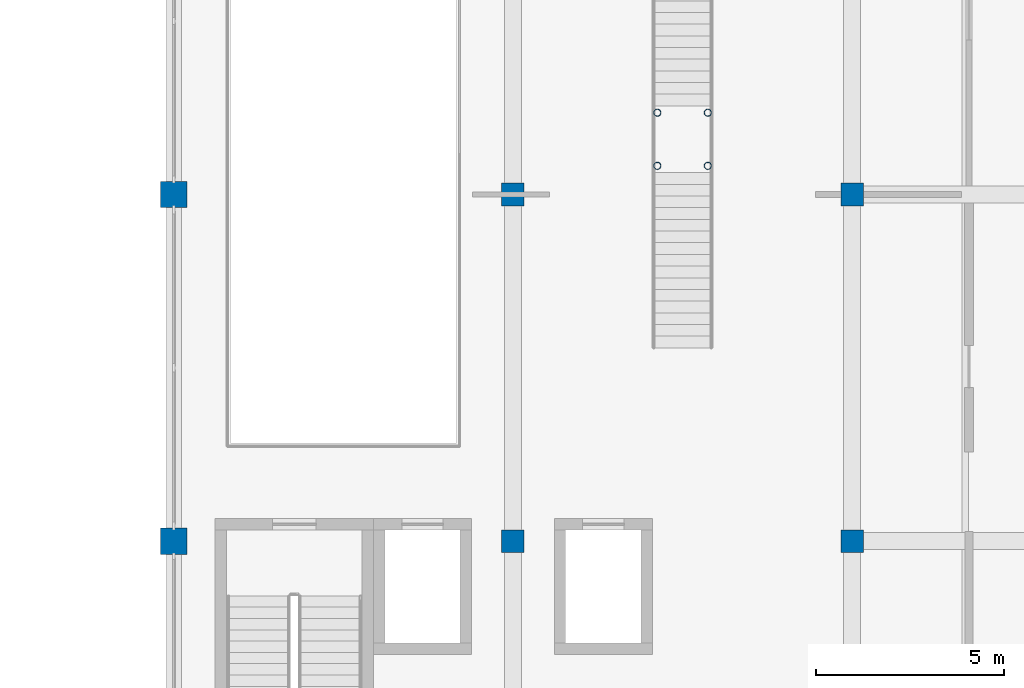
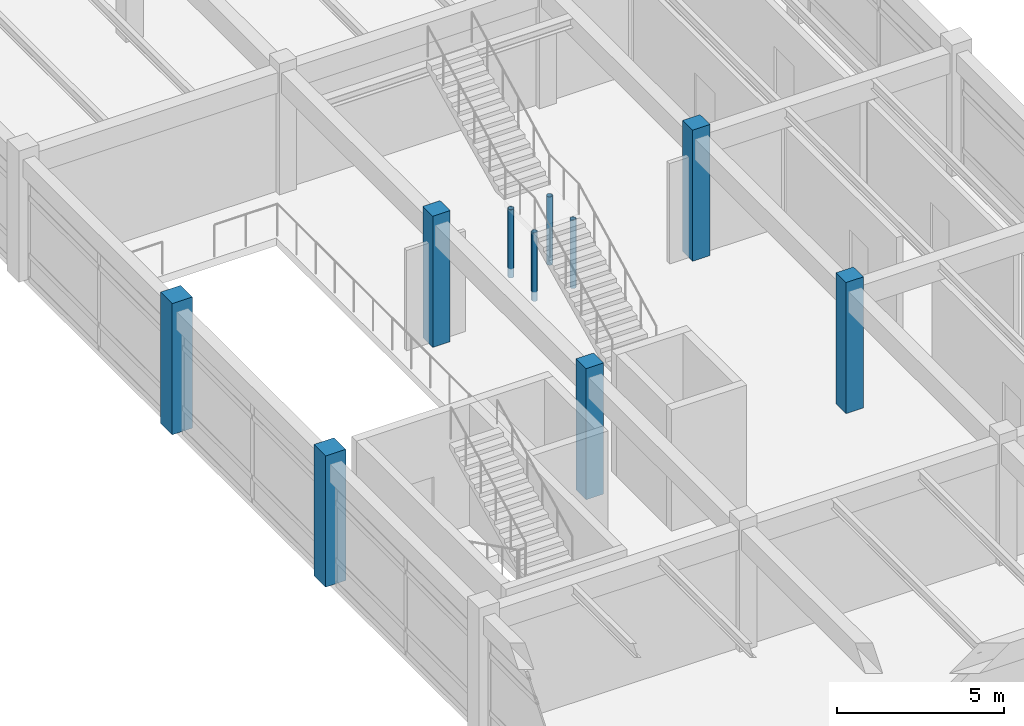
# One storey, part 8 of 90: 10 columns.
"""IFC4 building model written with IfcOpenShell, lengths in metres."""

from ifc_helpers import new_model, si_unit, direction, frame, origin, origin_2d, place, context, subcontext, project, spatial, rectangle, hollow_circle, extrude, material, material_profile, profile_set, type_object, element, save


model = new_model("IFC4")

# Units and contexts
model_context = context("Model", 3, precision=1e-05, world=origin(), true_north=direction((0.0, 1.0)))
body_context = subcontext(model_context, "Body", "Model", "MODEL_VIEW")
ifc_project = project(units=[si_unit("LENGTHUNIT", "METRE"), si_unit("AREAUNIT", "SQUARE_METRE"), si_unit("VOLUMEUNIT", "CUBIC_METRE"), si_unit("PLANEANGLEUNIT", "RADIAN"), si_unit("MASSUNIT", "GRAM", prefix="KILO")], contexts=[model_context])

# Site, building, storey
site_placement = place(None, origin())
site = spatial("IfcSite", under=ifc_project, at=site_placement, CompositionType="ELEMENT")
building_placement = place(site_placement, origin())
building = spatial("IfcBuilding", under=site, at=building_placement, Name="Bozkorgan Art Gallery", CompositionType="ELEMENT")
storey_placement = place(building_placement, frame((0.0, 0.0, 5.39990234375)))
storey = spatial("IfcBuildingStorey", under=building, at=storey_placement, Name="L01", CompositionType="ELEMENT", Elevation=5.39990234375)

# Columns
ifc_material_1 = material(Name="Steel S355J2", Category="steel")
ifc_material_profile_1 = material_profile(ifc_material_1, hollow_circle(Radius=0.096923828125, WallThickness=0.008056640625, at=origin_2d()), Name="CHS 193.7x8")
ifc_profile_set_1 = profile_set([ifc_material_profile_1], Name="Steel S355J2")
column_type_1 = type_object("IfcColumnType", Name="COL-FST-SUP", PredefinedType="COLUMN", material=ifc_profile_set_1)
for number, where, z_axis, x_axis, name in (
    (1, (86.830078125, 75.9599609375, -0.33984375), (0.0, 0.0, 1.0), (1.0, 0.0, 0.0), "ST10 intermediate landing post 1"),
    (2, (88.169921875, 75.9599609375, -0.33984375), (0.0, 0.0, 1.0), (1.0, 0.0, 0.0), "ST10 intermediate landing post 2"),
    (3, (86.830078125, 77.3701171875, -0.33984375), (0.0, 0.0, 1.0), (1.0, 0.0, 0.0), "ST10 intermediate landing post 3"),
    (4, (88.169921875, 77.3701171875, -0.33984375), (0.0, 0.0, 1.0), (1.0, 0.0, 0.0), "ST10 intermediate landing post 4"),
):
    element("IfcColumn", number, at=place(storey_placement, frame(where, z_axis=z_axis, x_axis=x_axis)), inside=storey, type_object=column_type_1, Name=name, PredefinedType="COLUMN", context=body_context, shape_type="SweptSolid", body=[
        extrude(hollow_circle(Radius=0.096923828125, WallThickness=0.008056640625, at=origin_2d()), origin(), (0.0, 0.0, 1.0), 2.5),
    ])
ifc_material_2 = material(Name="Concrete C40/50", Category="concrete")
ifc_material_profile_2 = material_profile(ifc_material_2, rectangle(XDim=0.60009765625, YDim=0.60009765625, at=origin_2d()), Name="RC 600x600")
ifc_profile_set_2 = profile_set([ifc_material_profile_2], Name="Concrete C40/50")
column_type_2 = type_object("IfcColumnType", Name="COLUMN-C-57", PredefinedType="COLUMN", material=ifc_profile_set_2)
for number, where, z_axis, x_axis, name in (
    (5, (83.0, 66.0, 0.0), (0.0, 0.0, 1.0), (1.0, 0.0, 0.0), "V4 L01 column (83.0, 66.0)"),
    (6, (83.0, 75.199951171875, 0.0), (0.0, 0.0, 1.0), (1.0, 0.0, 0.0), "V4 L01 column (83.0, 75.2)"),
    (7, (92.0, 66.0, 0.0), (0.0, 0.0, 1.0), (1.0, 0.0, 0.0), "V4 L01 column (92.0, 66.0)"),
    (8, (92.0, 75.199951171875, 0.0), (0.0, 0.0, 1.0), (1.0, 0.0, 0.0), "V4 L01 column (92.0, 75.2)"),
):
    element("IfcColumn", number, at=place(storey_placement, frame(where, z_axis=z_axis, x_axis=x_axis)), inside=storey, type_object=column_type_2, Name=name, PredefinedType="COLUMN", context=body_context, shape_type="SweptSolid", body=[
        extrude(rectangle(XDim=0.60009765625, YDim=0.60009765625, at=origin_2d()), origin(), (0.0, 0.0, 1.0), 4.800048828125),
    ])
ifc_material_profile_3 = material_profile(ifc_material_2, rectangle(XDim=0.699951171875, YDim=0.699951171875, at=origin_2d()), Name="RC 700x700")
ifc_profile_set_3 = profile_set([ifc_material_profile_3], Name="Concrete C40/50")
column_type_3 = type_object("IfcColumnType", Name="COLUMN-C-73", PredefinedType="COLUMN", material=ifc_profile_set_3)
for number, where, z_axis, x_axis, name in (
    (9, (74.0, 66.0, 0.0), (0.0, 0.0, 1.0), (1.0, 0.0, 0.0), "V4 L01 column (74.0, 66.0)"),
    (10, (74.0, 75.199951171875, 0.0), (0.0, 0.0, 1.0), (1.0, 0.0, 0.0), "V4 L01 column (74.0, 75.2)"),
):
    element("IfcColumn", number, at=place(storey_placement, frame(where, z_axis=z_axis, x_axis=x_axis)), inside=storey, type_object=column_type_3, Name=name, PredefinedType="COLUMN", context=body_context, shape_type="SweptSolid", body=[
        extrude(rectangle(XDim=0.699951171875, YDim=0.699951171875, at=origin_2d()), origin(), (0.0, 0.0, 1.0), 4.800048828125),
    ])

save(model, "model.ifc")
